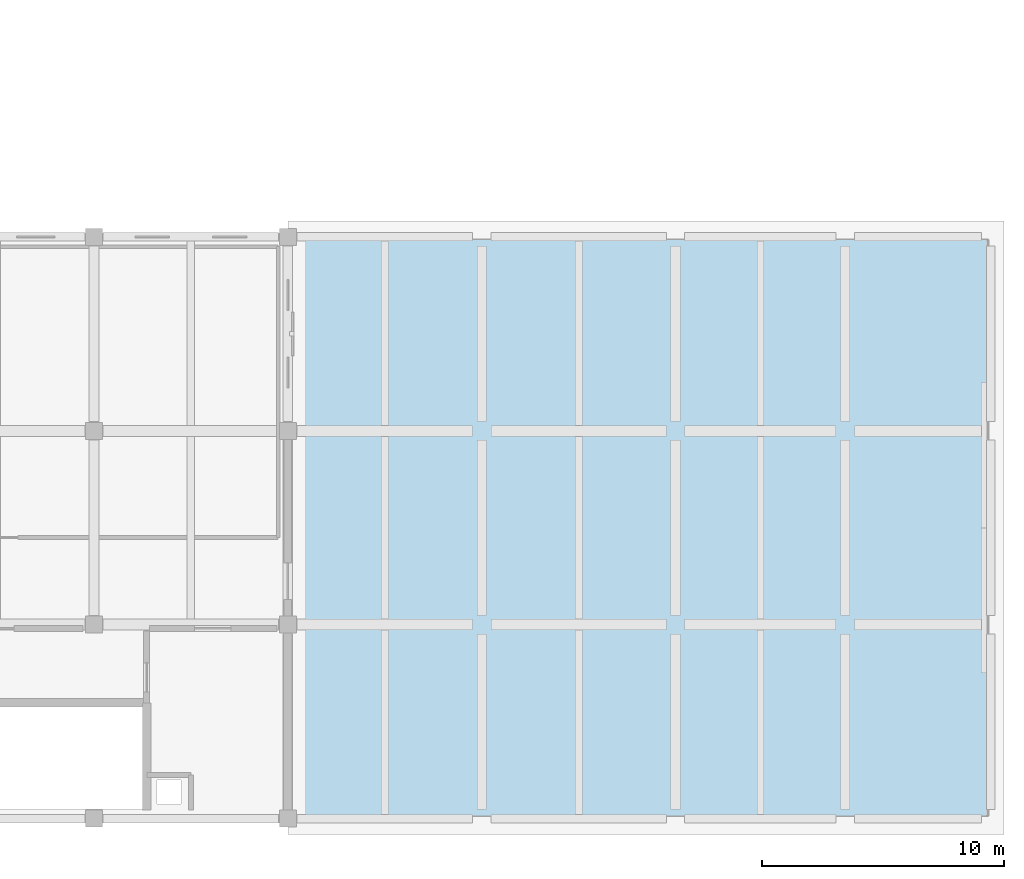
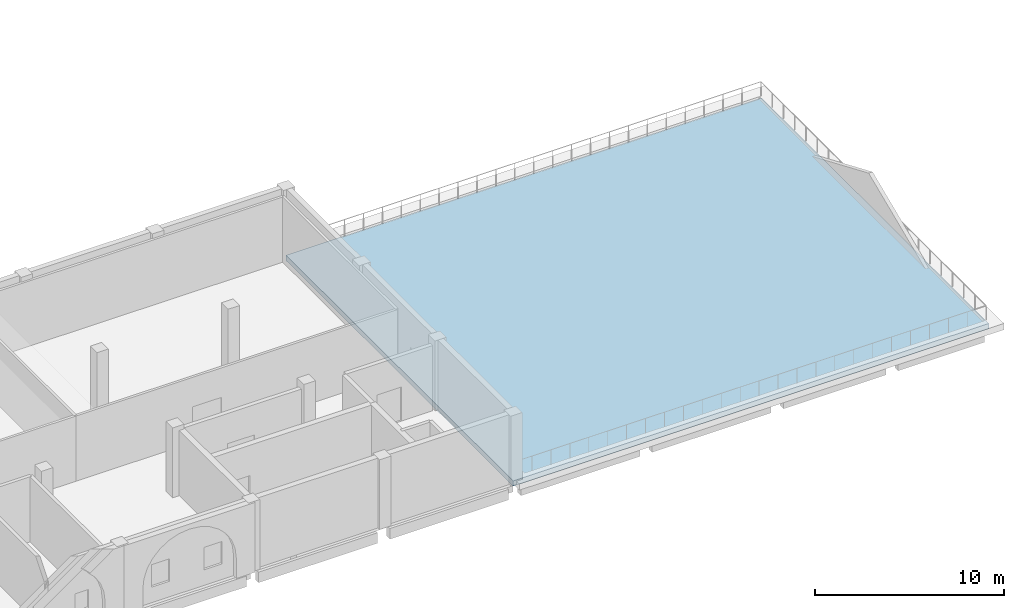
# One storey, part 23 of 45: 1 slab.
"""IFC4 building model written with IfcOpenShell, lengths in metres."""

import ifcopenshell
import ifcopenshell.guid

model = None  # the IFC model being written
_history = None  # IfcOwnerHistory: only IFC2X3 demands one
_inside = {}  # id of a spatial element -> (the spatial element, [elements in it])
_under = {}  # id of a project, library or spatial element -> (it, [spatial elements below it])
_declared = {}  # id of a project -> (the project, [libraries it declares])
_typed = {}  # id of a type object -> (the type object, [elements of that type])
_made_of = {}  # id of a material, layer set ... -> (it, [elements and type objects made of it])


def new_model(schema):
    """Start an empty IFC model of exactly this schema.

    Asked for "IFC4X3", IfcOpenShell would pick the latest addendum, in which some entities
    have other attributes; the version numbers below select the first issue.
    IFC2X3 requires an IfcOwnerHistory on every rooted entity: one is made here for all.
    """
    global model, _history
    if schema == "IFC4X3":
        model = ifcopenshell.file(schema_version=(4, 3, 0, 0))
    else:
        model = ifcopenshell.file(schema=schema)
    _inside.clear()
    _under.clear()
    _declared.clear()
    _typed.clear()
    _made_of.clear()
    _history = None
    if model.schema == "IFC2X3":
        org = make("IfcOrganization", Name="unknown")
        user = make(
            "IfcPersonAndOrganization",
            ThePerson=make("IfcPerson", FamilyName="unknown"),
            TheOrganization=org,
        )
        app = make(
            "IfcApplication",
            ApplicationDeveloper=org,
            Version="unknown",
            ApplicationFullName="unknown",
            ApplicationIdentifier="unknown",
        )
        _history = make(
            "IfcOwnerHistory",
            OwningUser=user,
            OwningApplication=app,
            ChangeAction="ADDED",
            CreationDate=0,
        )
    return model


def make(cls, **values):
    """One entity of the class cls with the attributes given. An attribute that is None is left unset."""
    return model.create_entity(
        cls, **{name: value for name, value in values.items() if value is not None}
    )


def rooted(cls, **values):
    """An entity with a GlobalId (a new one), such as an element, a storey or a relation."""
    return make(cls, GlobalId=ifcopenshell.guid.new(), OwnerHistory=_history, **values)


def si_unit(unit_type, name, prefix=None):
    """IfcSIUnit, for example si_unit("LENGTHUNIT", "METRE", prefix="MILLI")."""
    return make("IfcSIUnit", UnitType=unit_type, Prefix=prefix, Name=name)


def assignment(units):
    """IfcUnitAssignment: the units of a project."""
    return None if units is None else make("IfcUnitAssignment", Units=units)


def point(xyz):
    """IfcCartesianPoint."""
    return None if xyz is None else make("IfcCartesianPoint", Coordinates=xyz)


def direction(xyz):
    """IfcDirection."""
    return None if xyz is None else make("IfcDirection", DirectionRatios=xyz)


def frame(location, z_axis=None, x_axis=None):
    """IfcAxis2Placement3D, a coordinate frame: its origin and axes. An axis left out is left unset."""
    return make(
        "IfcAxis2Placement3D",
        Location=point(location),
        Axis=direction(z_axis),
        RefDirection=direction(x_axis),
    )


def origin():
    """The frame at (0, 0, 0) with its axes left unset."""
    return frame((0.0, 0.0, 0.0))


def place(relative_to, where):
    """IfcLocalPlacement: puts the frame where relative to a parent placement (None: the world)."""
    return make(
        "IfcLocalPlacement", PlacementRelTo=relative_to, RelativePlacement=where
    )


def context(
    kind, dimensions, precision=None, world=None, true_north=None, identifier=None
):
    """IfcGeometricRepresentationContext, for example the 3D "Model" context."""
    return make(
        "IfcGeometricRepresentationContext",
        ContextIdentifier=identifier,
        ContextType=kind,
        CoordinateSpaceDimension=dimensions,
        Precision=precision,
        WorldCoordinateSystem=world,
        TrueNorth=true_north,
    )


def subcontext(parent, identifier, kind, view, scale=None):
    """IfcGeometricRepresentationSubContext, for example "Body" below "Model"."""
    return make(
        "IfcGeometricRepresentationSubContext",
        ContextIdentifier=identifier,
        ContextType=kind,
        ParentContext=parent,
        TargetScale=scale,
        TargetView=view,
    )


def project(units=None, contexts=None):
    """IfcProject with its units and contexts."""
    return rooted(
        "IfcProject",
        Name="project",
        RepresentationContexts=contexts,
        UnitsInContext=assignment(units),
    )


def spatial(cls, under=None, at=None, **own):
    """A site, building, storey or space (cls), placed at a placement, below another one or the project."""
    s = rooted(cls, ObjectPlacement=at, **own)
    if under is not None:
        _under.setdefault(under.id(), (under, []))[1].append(s)
    return s


def polyline(points):
    """IfcPolyline through the points."""
    return make("IfcPolyline", Points=[point(p) for p in points])


def outline(outer, holes=None, kind="AREA"):
    """IfcArbitraryClosedProfileDef: a profile drawn as a closed curve; with holes, ...WithVoids."""
    if holes is None:
        return make("IfcArbitraryClosedProfileDef", ProfileType=kind, OuterCurve=outer)
    return make(
        "IfcArbitraryProfileDefWithVoids",
        ProfileType=kind,
        OuterCurve=outer,
        InnerCurves=holes,
    )


def extrude(swept, where, along, depth):
    """IfcExtrudedAreaSolid: the profile swept, set in the frame where, extruded along a direction by depth."""
    return make(
        "IfcExtrudedAreaSolid",
        SweptArea=swept,
        Position=where,
        ExtrudedDirection=direction(along),
        Depth=depth,
    )


def shape(context_of_items, identifier, shape_type, items):
    """IfcShapeRepresentation: the items that make up one representation, for example the "Body"."""
    return make(
        "IfcShapeRepresentation",
        ContextOfItems=context_of_items,
        RepresentationIdentifier=identifier,
        RepresentationType=shape_type,
        Items=items,
    )


def material(Name=None, Category=None):
    """IfcMaterial."""
    return make("IfcMaterial", Name=Name, Category=Category)


def layer(
    of_material, thickness, ventilated=None, Name=None, Category=None, Priority=None
):
    """IfcMaterialLayer: one layer of a wall or slab, of a material (None: an air gap)."""
    return make(
        "IfcMaterialLayer",
        Material=of_material,
        LayerThickness=thickness,
        IsVentilated=ventilated,
        Name=Name,
        Category=Category,
        Priority=Priority,
    )


def layer_set(layers, Name=None):
    """IfcMaterialLayerSet."""
    return make("IfcMaterialLayerSet", MaterialLayers=layers, LayerSetName=Name)


def made_of(thing, what):
    """Note that an element or type object is made of a material, layer set ...; save() writes the relation."""
    if what is not None:
        _made_of.setdefault(what.id(), (what, []))[1].append(thing)
    return thing


def type_object(cls, material=None, **own):
    """A type object (cls), such as IfcWallType, which elements share."""
    return made_of(rooted(cls, **own), material)


def element(
    cls,
    number,
    at=None,
    inside=None,
    cuts=None,
    type_object=None,
    material=None,
    context=None,
    identifier="Body",
    shape_type=None,
    held_by="IfcProductDefinitionShape",
    body=None,
    shapes=None,
    **own,
):
    """One element of the class cls, such as IfcWall. Its Tag is "e" and its number.

    at: its placement. inside: the storey or other place that contains it. cuts: it is an
    opening in that element (IfcRelVoidsElement). A single representation is given by context,
    identifier, shape_type and body (its items); several are given by shapes. held_by: the class
    of the entity that holds the representations. save() writes the other relations.
    """
    e = rooted(cls, Tag="e%d" % number, ObjectPlacement=at, **own)
    if body is not None:
        shapes = [shape(context, identifier, shape_type, body)]
    if shapes is not None:
        e.Representation = make(held_by, Representations=shapes)
    if inside is not None:
        _inside.setdefault(inside.id(), (inside, []))[1].append(e)
    if cuts is not None:
        rooted(
            "IfcRelVoidsElement", RelatingBuildingElement=cuts, RelatedOpeningElement=e
        )
    if type_object is not None:
        _typed.setdefault(type_object.id(), (type_object, []))[1].append(e)
    return made_of(e, material)


def aggregate(whole, parts):
    """IfcRelAggregates: a whole, such as a stair, and the parts it consists of."""
    return rooted("IfcRelAggregates", RelatingObject=whole, RelatedObjects=parts)


def save(model, path):
    """Write the relations noted so far, then the file.

    IfcRelAggregates (storeys below a building ...), IfcRelContainedInSpatialStructure (elements
    in a storey), IfcRelDefinesByType, IfcRelAssociatesMaterial and IfcRelDeclares: one each for
    every whole, place, type object, material and project.
    """
    for whole, parts in _under.values():
        aggregate(whole, parts)
    for where, things in _inside.values():
        rooted(
            "IfcRelContainedInSpatialStructure",
            RelatedElements=things,
            RelatingStructure=where,
        )
    for kind, things in _typed.values():
        rooted("IfcRelDefinesByType", RelatedObjects=things, RelatingType=kind)
    for what, things in _made_of.values():
        rooted("IfcRelAssociatesMaterial", RelatedObjects=things, RelatingMaterial=what)
    for by, libraries in _declared.values():
        rooted("IfcRelDeclares", RelatingContext=by, RelatedDefinitions=libraries)
    model.write(path)


model = new_model("IFC4")

# Units and contexts
model_context = context("Model", 3, precision=1e-05, world=origin(), true_north=direction((0.0, 1.0)))
body_context = subcontext(model_context, "Body", "Model", "MODEL_VIEW")
ifc_project = project(units=[si_unit("LENGTHUNIT", "METRE"), si_unit("AREAUNIT", "SQUARE_METRE"), si_unit("VOLUMEUNIT", "CUBIC_METRE"), si_unit("PLANEANGLEUNIT", "RADIAN"), si_unit("MASSUNIT", "GRAM", prefix="KILO")], contexts=[model_context])

# Site, building, storey
site_placement = place(None, origin())
site = spatial("IfcSite", under=ifc_project, at=site_placement, CompositionType="ELEMENT")
building_placement = place(site_placement, origin())
building = spatial("IfcBuilding", under=site, at=building_placement, Name="Qorikala Patio Media Centre", CompositionType="ELEMENT")
storey_placement = place(building_placement, frame((0.0, 0.0, 9.89990234375)))
storey = spatial("IfcBuildingStorey", under=building, at=storey_placement, Name="L02", CompositionType="ELEMENT", Elevation=9.89990234375)

# Slab
ifc_material = material(Name="Planted Soil and Concrete C35/45", Category="concrete")
ifc_layer = layer(ifc_material, 0.340087890625)
ifc_layer_set = layer_set([ifc_layer], Name="Planted Soil and Concrete C35/45")
slab_type = type_object("IfcSlabType", Name="SL-GARDEN-340", PredefinedType="ROOF", material=ifc_layer_set)
slab_placement = place(storey_placement, frame((0.0, 0.0, -0.33984375)))
element("IfcSlab", 1, at=slab_placement, inside=storey, type_object=slab_type, Name="L02 Planted Roof Slab", PredefinedType="ROOF", context=body_context, shape_type="SweptSolid", body=[
    extrude(outline(polyline([(138.0, 3.0), (167.0, 3.0), (167.0, 27.0), (138.0, 27.0), (138.0, 3.0)])), origin(), (0.0, 0.0, 1.0), 0.33984375),
])

save(model, "model.ifc")
